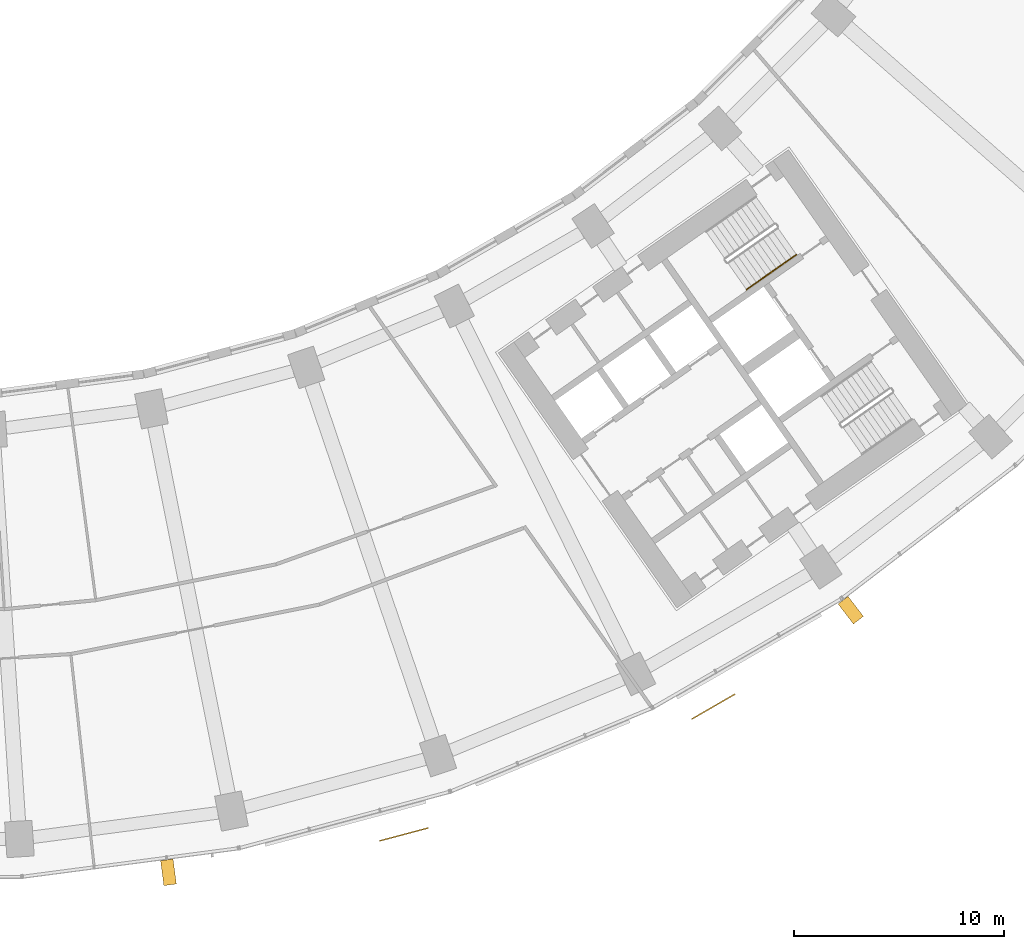
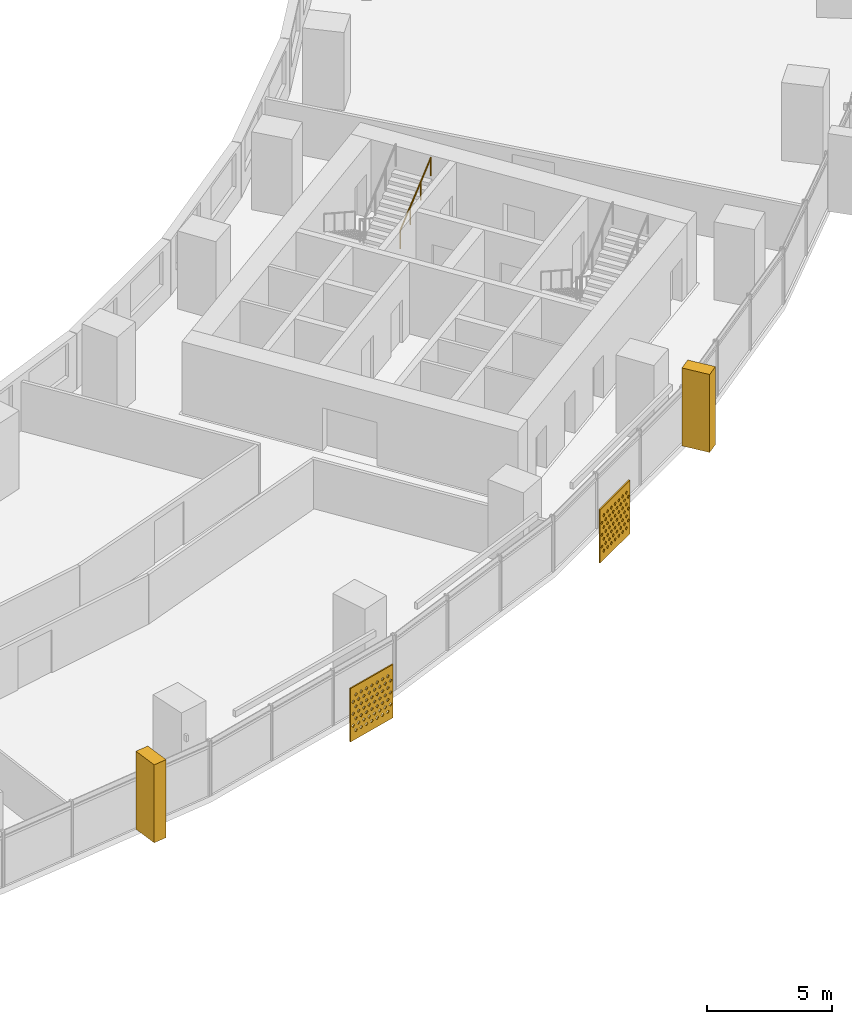
# One storey, part 29 of 30: 4 shading devices, 1 railing.
"""IFC4 building model written with IfcOpenShell, lengths in metres."""

from ifc_helpers import new_model, si_unit, direction, frame, origin, origin_2d, place, context, subcontext, project, spatial, polyline, circle, outline, extrude, material, material_profile, profile_set, type_object, element, save


model = new_model("IFC4")

# Units and contexts
model_context = context("Model", 3, precision=1e-05, world=origin(), true_north=direction((0.0, 1.0)))
body_context = subcontext(model_context, "Body", "Model", "MODEL_VIEW")
ifc_project = project(units=[si_unit("LENGTHUNIT", "METRE"), si_unit("AREAUNIT", "SQUARE_METRE"), si_unit("VOLUMEUNIT", "CUBIC_METRE"), si_unit("PLANEANGLEUNIT", "RADIAN"), si_unit("MASSUNIT", "GRAM", prefix="KILO")], contexts=[model_context])

# Site, building, storey
site_placement = place(None, origin())
site = spatial("IfcSite", under=ifc_project, at=site_placement, CompositionType="ELEMENT")
building_placement = place(site_placement, origin())
building = spatial("IfcBuilding", under=site, at=building_placement, Name="Qamariyya Broadcast Tower", CompositionType="ELEMENT")
storey_placement = place(building_placement, frame((0.0, 0.0, 67.10009765625)))
storey = spatial("IfcBuildingStorey", under=building, at=storey_placement, Name="L13", CompositionType="ELEMENT", Elevation=67.10009765625)

# Shading devices
ifc_material_1 = material(Name="Steel S355 powder coated deep red", Category="steel")
shading_device_type_1 = type_object("IfcShadingDeviceType", Name="Deep red frame, powder coated steel box section", PredefinedType="USERDEFINED", material=ifc_material_1)
shading_device_1_placement = place(storey_placement, origin())
element("IfcShadingDevice", 1, at=shading_device_1_placement, inside=storey, type_object=shading_device_type_1, Name="e-frm-B1-F5-posta-L13", ObjectType="FRAME", PredefinedType="USERDEFINED", context=body_context, shape_type="SweptSolid", body=[
    extrude(outline(polyline([(44.01318359375, -66.4091796875), (44.74365234375, -67.361328125), (45.2197265625, -66.995849609375), (44.4892578125, -66.0439453125), (44.01318359375, -66.4091796875)])), origin(), (0.0, 0.0, 1.0), 3.7998046875),
])
shading_device_2_placement = place(storey_placement, origin())
element("IfcShadingDevice", 2, at=shading_device_2_placement, inside=storey, type_object=shading_device_type_1, Name="e-frm-B1-F3-postb-L13", ObjectType="FRAME", PredefinedType="USERDEFINED", context=body_context, shape_type="SweptSolid", body=[
    extrude(outline(polyline([(11.79833984375, -78.612060546875), (11.954833984375, -79.8017578125), (12.5498046875, -79.723388671875), (12.39306640625, -78.53369140625), (11.79833984375, -78.612060546875)])), origin(), (0.0, 0.0, 1.0), 3.7998046875),
])
ifc_material_2 = material(Name="Perforated glazed terracotta", Category="masonry")
ifc_material_profile = material_profile(ifc_material_2, outline(polyline([(-1.199951171875, -1.300048828125), (1.199951171875, -1.300048828125), (1.199951171875, 1.300048828125), (-1.199951171875, 1.300048828125), (-1.199951171875, -1.300048828125)]), holes=[polyline([(-0.81494140625, -0.86669921875), (-0.89990234375, -0.78173828125), (-0.985107421875, -0.86669921875), (-0.89990234375, -0.95166015625), (-0.81494140625, -0.86669921875)]), polyline([(-0.514892578125, -0.86669921875), (-0.60009765625, -0.78173828125), (-0.68505859375, -0.86669921875), (-0.60009765625, -0.95166015625), (-0.514892578125, -0.86669921875)]), polyline([(-0.215087890625, -0.86669921875), (-0.300048828125, -0.78173828125), (-0.385009765625, -0.86669921875), (-0.300048828125, -0.95166015625), (-0.215087890625, -0.86669921875)]), polyline([(0.0849609375, -0.86669921875), (0.0, -0.78173828125), (-0.0849609375, -0.86669921875), (0.0, -0.95166015625), (0.0849609375, -0.86669921875)]), polyline([(0.385009765625, -0.86669921875), (0.300048828125, -0.78173828125), (0.215087890625, -0.86669921875), (0.300048828125, -0.95166015625), (0.385009765625, -0.86669921875)]), polyline([(0.68505859375, -0.86669921875), (0.60009765625, -0.78173828125), (0.514892578125, -0.86669921875), (0.60009765625, -0.95166015625), (0.68505859375, -0.86669921875)]), polyline([(0.985107421875, -0.86669921875), (0.89990234375, -0.78173828125), (0.81494140625, -0.86669921875), (0.89990234375, -0.95166015625), (0.985107421875, -0.86669921875)]), polyline([(-0.965087890625, -0.577880859375), (-1.050048828125, -0.49267578125), (-1.135009765625, -0.577880859375), (-1.050048828125, -0.662841796875), (-0.965087890625, -0.577880859375)]), polyline([(-0.6650390625, -0.577880859375), (-0.75, -0.49267578125), (-0.8349609375, -0.577880859375), (-0.75, -0.662841796875), (-0.6650390625, -0.577880859375)]), polyline([(-0.364990234375, -0.577880859375), (-0.449951171875, -0.49267578125), (-0.534912109375, -0.577880859375), (-0.449951171875, -0.662841796875), (-0.364990234375, -0.577880859375)]), polyline([(-0.06494140625, -0.577880859375), (-0.14990234375, -0.49267578125), (-0.235107421875, -0.577880859375), (-0.14990234375, -0.662841796875), (-0.06494140625, -0.577880859375)]), polyline([(0.235107421875, -0.577880859375), (0.14990234375, -0.49267578125), (0.06494140625, -0.577880859375), (0.14990234375, -0.662841796875), (0.235107421875, -0.577880859375)]), polyline([(0.534912109375, -0.577880859375), (0.449951171875, -0.49267578125), (0.364990234375, -0.577880859375), (0.449951171875, -0.662841796875), (0.534912109375, -0.577880859375)]), polyline([(0.8349609375, -0.577880859375), (0.75, -0.49267578125), (0.6650390625, -0.577880859375), (0.75, -0.662841796875), (0.8349609375, -0.577880859375)]), polyline([(1.135009765625, -0.577880859375), (1.050048828125, -0.49267578125), (0.965087890625, -0.577880859375), (1.050048828125, -0.662841796875), (1.135009765625, -0.577880859375)]), polyline([(-0.81494140625, -0.288818359375), (-0.89990234375, -0.203857421875), (-0.985107421875, -0.288818359375), (-0.89990234375, -0.373779296875), (-0.81494140625, -0.288818359375)]), polyline([(-0.514892578125, -0.288818359375), (-0.60009765625, -0.203857421875), (-0.68505859375, -0.288818359375), (-0.60009765625, -0.373779296875), (-0.514892578125, -0.288818359375)]), polyline([(-0.215087890625, -0.288818359375), (-0.300048828125, -0.203857421875), (-0.385009765625, -0.288818359375), (-0.300048828125, -0.373779296875), (-0.215087890625, -0.288818359375)]), polyline([(0.0849609375, -0.288818359375), (0.0, -0.203857421875), (-0.0849609375, -0.288818359375), (0.0, -0.373779296875), (0.0849609375, -0.288818359375)]), polyline([(0.385009765625, -0.288818359375), (0.300048828125, -0.203857421875), (0.215087890625, -0.288818359375), (0.300048828125, -0.373779296875), (0.385009765625, -0.288818359375)]), polyline([(0.68505859375, -0.288818359375), (0.60009765625, -0.203857421875), (0.514892578125, -0.288818359375), (0.60009765625, -0.373779296875), (0.68505859375, -0.288818359375)]), polyline([(0.985107421875, -0.288818359375), (0.89990234375, -0.203857421875), (0.81494140625, -0.288818359375), (0.89990234375, -0.373779296875), (0.985107421875, -0.288818359375)]), polyline([(-0.965087890625, 0.0), (-1.050048828125, 0.0849609375), (-1.135009765625, 0.0), (-1.050048828125, -0.0849609375), (-0.965087890625, 0.0)]), polyline([(-0.6650390625, 0.0), (-0.75, 0.0849609375), (-0.8349609375, 0.0), (-0.75, -0.0849609375), (-0.6650390625, 0.0)]), polyline([(-0.364990234375, 0.0), (-0.449951171875, 0.0849609375), (-0.534912109375, 0.0), (-0.449951171875, -0.0849609375), (-0.364990234375, 0.0)]), polyline([(-0.06494140625, 0.0), (-0.14990234375, 0.0849609375), (-0.235107421875, 0.0), (-0.14990234375, -0.0849609375), (-0.06494140625, 0.0)]), polyline([(0.235107421875, 0.0), (0.14990234375, 0.0849609375), (0.06494140625, 0.0), (0.14990234375, -0.0849609375), (0.235107421875, 0.0)]), polyline([(0.534912109375, 0.0), (0.449951171875, 0.0849609375), (0.364990234375, 0.0), (0.449951171875, -0.0849609375), (0.534912109375, 0.0)]), polyline([(0.8349609375, 0.0), (0.75, 0.0849609375), (0.6650390625, 0.0), (0.75, -0.0849609375), (0.8349609375, 0.0)]), polyline([(1.135009765625, 0.0), (1.050048828125, 0.0849609375), (0.965087890625, 0.0), (1.050048828125, -0.0849609375), (1.135009765625, 0.0)]), polyline([(-0.81494140625, 0.288818359375), (-0.89990234375, 0.373779296875), (-0.985107421875, 0.288818359375), (-0.89990234375, 0.203857421875), (-0.81494140625, 0.288818359375)]), polyline([(-0.514892578125, 0.288818359375), (-0.60009765625, 0.373779296875), (-0.68505859375, 0.288818359375), (-0.60009765625, 0.203857421875), (-0.514892578125, 0.288818359375)]), polyline([(-0.215087890625, 0.288818359375), (-0.300048828125, 0.373779296875), (-0.385009765625, 0.288818359375), (-0.300048828125, 0.203857421875), (-0.215087890625, 0.288818359375)]), polyline([(0.0849609375, 0.288818359375), (0.0, 0.373779296875), (-0.0849609375, 0.288818359375), (0.0, 0.203857421875), (0.0849609375, 0.288818359375)]), polyline([(0.385009765625, 0.288818359375), (0.300048828125, 0.373779296875), (0.215087890625, 0.288818359375), (0.300048828125, 0.203857421875), (0.385009765625, 0.288818359375)]), polyline([(0.68505859375, 0.288818359375), (0.60009765625, 0.373779296875), (0.514892578125, 0.288818359375), (0.60009765625, 0.203857421875), (0.68505859375, 0.288818359375)]), polyline([(0.985107421875, 0.288818359375), (0.89990234375, 0.373779296875), (0.81494140625, 0.288818359375), (0.89990234375, 0.203857421875), (0.985107421875, 0.288818359375)]), polyline([(-0.965087890625, 0.577880859375), (-1.050048828125, 0.662841796875), (-1.135009765625, 0.577880859375), (-1.050048828125, 0.49267578125), (-0.965087890625, 0.577880859375)]), polyline([(-0.6650390625, 0.577880859375), (-0.75, 0.662841796875), (-0.8349609375, 0.577880859375), (-0.75, 0.49267578125), (-0.6650390625, 0.577880859375)]), polyline([(-0.364990234375, 0.577880859375), (-0.449951171875, 0.662841796875), (-0.534912109375, 0.577880859375), (-0.449951171875, 0.49267578125), (-0.364990234375, 0.577880859375)]), polyline([(-0.06494140625, 0.577880859375), (-0.14990234375, 0.662841796875), (-0.235107421875, 0.577880859375), (-0.14990234375, 0.49267578125), (-0.06494140625, 0.577880859375)]), polyline([(0.235107421875, 0.577880859375), (0.14990234375, 0.662841796875), (0.06494140625, 0.577880859375), (0.14990234375, 0.49267578125), (0.235107421875, 0.577880859375)]), polyline([(0.534912109375, 0.577880859375), (0.449951171875, 0.662841796875), (0.364990234375, 0.577880859375), (0.449951171875, 0.49267578125), (0.534912109375, 0.577880859375)]), polyline([(0.8349609375, 0.577880859375), (0.75, 0.662841796875), (0.6650390625, 0.577880859375), (0.75, 0.49267578125), (0.8349609375, 0.577880859375)]), polyline([(1.135009765625, 0.577880859375), (1.050048828125, 0.662841796875), (0.965087890625, 0.577880859375), (1.050048828125, 0.49267578125), (1.135009765625, 0.577880859375)]), polyline([(-0.81494140625, 0.86669921875), (-0.89990234375, 0.95166015625), (-0.985107421875, 0.86669921875), (-0.89990234375, 0.78173828125), (-0.81494140625, 0.86669921875)]), polyline([(-0.514892578125, 0.86669921875), (-0.60009765625, 0.95166015625), (-0.68505859375, 0.86669921875), (-0.60009765625, 0.78173828125), (-0.514892578125, 0.86669921875)]), polyline([(-0.215087890625, 0.86669921875), (-0.300048828125, 0.95166015625), (-0.385009765625, 0.86669921875), (-0.300048828125, 0.78173828125), (-0.215087890625, 0.86669921875)]), polyline([(0.0849609375, 0.86669921875), (0.0, 0.95166015625), (-0.0849609375, 0.86669921875), (0.0, 0.78173828125), (0.0849609375, 0.86669921875)]), polyline([(0.385009765625, 0.86669921875), (0.300048828125, 0.95166015625), (0.215087890625, 0.86669921875), (0.300048828125, 0.78173828125), (0.385009765625, 0.86669921875)]), polyline([(0.68505859375, 0.86669921875), (0.60009765625, 0.95166015625), (0.514892578125, 0.86669921875), (0.60009765625, 0.78173828125), (0.68505859375, 0.86669921875)]), polyline([(0.985107421875, 0.86669921875), (0.89990234375, 0.95166015625), (0.81494140625, 0.86669921875), (0.89990234375, 0.78173828125), (0.985107421875, 0.86669921875)])]))
ifc_profile_set = profile_set([ifc_material_profile], Name="Perforated glazed terracotta")
shading_device_type_2 = type_object("IfcShadingDeviceType", Name="Perforated terracotta screen 2400 x 2600", PredefinedType="USERDEFINED", material=ifc_profile_set)
shading_device_3_placement = place(storey_placement, frame((23.364990234375, -77.33740234375, 1.349853515625), z_axis=(0.256901156343, -0.966437683387, 0.0), x_axis=(0.966437683387, 0.256901156343, 0.0)))
element("IfcShadingDevice", 3, at=shading_device_3_placement, inside=storey, type_object=shading_device_type_2, Name="e-scr-L13-10-2", ObjectType="SCREEN", PredefinedType="USERDEFINED", context=body_context, shape_type="SweptSolid", body=[
    extrude(outline(polyline([(-1.199951171875, -1.300048828125), (1.199951171875, -1.300048828125), (1.199951171875, 1.300048828125), (-1.199951171875, 1.300048828125), (-1.199951171875, -1.300048828125)]), holes=[polyline([(-0.81494140625, -0.86669921875), (-0.89990234375, -0.78173828125), (-0.985107421875, -0.86669921875), (-0.89990234375, -0.95166015625), (-0.81494140625, -0.86669921875)]), polyline([(-0.514892578125, -0.86669921875), (-0.60009765625, -0.78173828125), (-0.68505859375, -0.86669921875), (-0.60009765625, -0.95166015625), (-0.514892578125, -0.86669921875)]), polyline([(-0.215087890625, -0.86669921875), (-0.300048828125, -0.78173828125), (-0.385009765625, -0.86669921875), (-0.300048828125, -0.95166015625), (-0.215087890625, -0.86669921875)]), polyline([(0.0849609375, -0.86669921875), (0.0, -0.78173828125), (-0.0849609375, -0.86669921875), (0.0, -0.95166015625), (0.0849609375, -0.86669921875)]), polyline([(0.385009765625, -0.86669921875), (0.300048828125, -0.78173828125), (0.215087890625, -0.86669921875), (0.300048828125, -0.95166015625), (0.385009765625, -0.86669921875)]), polyline([(0.68505859375, -0.86669921875), (0.60009765625, -0.78173828125), (0.514892578125, -0.86669921875), (0.60009765625, -0.95166015625), (0.68505859375, -0.86669921875)]), polyline([(0.985107421875, -0.86669921875), (0.89990234375, -0.78173828125), (0.81494140625, -0.86669921875), (0.89990234375, -0.95166015625), (0.985107421875, -0.86669921875)]), polyline([(-0.965087890625, -0.577880859375), (-1.050048828125, -0.49267578125), (-1.135009765625, -0.577880859375), (-1.050048828125, -0.662841796875), (-0.965087890625, -0.577880859375)]), polyline([(-0.6650390625, -0.577880859375), (-0.75, -0.49267578125), (-0.8349609375, -0.577880859375), (-0.75, -0.662841796875), (-0.6650390625, -0.577880859375)]), polyline([(-0.364990234375, -0.577880859375), (-0.449951171875, -0.49267578125), (-0.534912109375, -0.577880859375), (-0.449951171875, -0.662841796875), (-0.364990234375, -0.577880859375)]), polyline([(-0.06494140625, -0.577880859375), (-0.14990234375, -0.49267578125), (-0.235107421875, -0.577880859375), (-0.14990234375, -0.662841796875), (-0.06494140625, -0.577880859375)]), polyline([(0.235107421875, -0.577880859375), (0.14990234375, -0.49267578125), (0.06494140625, -0.577880859375), (0.14990234375, -0.662841796875), (0.235107421875, -0.577880859375)]), polyline([(0.534912109375, -0.577880859375), (0.449951171875, -0.49267578125), (0.364990234375, -0.577880859375), (0.449951171875, -0.662841796875), (0.534912109375, -0.577880859375)]), polyline([(0.8349609375, -0.577880859375), (0.75, -0.49267578125), (0.6650390625, -0.577880859375), (0.75, -0.662841796875), (0.8349609375, -0.577880859375)]), polyline([(1.135009765625, -0.577880859375), (1.050048828125, -0.49267578125), (0.965087890625, -0.577880859375), (1.050048828125, -0.662841796875), (1.135009765625, -0.577880859375)]), polyline([(-0.81494140625, -0.288818359375), (-0.89990234375, -0.203857421875), (-0.985107421875, -0.288818359375), (-0.89990234375, -0.373779296875), (-0.81494140625, -0.288818359375)]), polyline([(-0.514892578125, -0.288818359375), (-0.60009765625, -0.203857421875), (-0.68505859375, -0.288818359375), (-0.60009765625, -0.373779296875), (-0.514892578125, -0.288818359375)]), polyline([(-0.215087890625, -0.288818359375), (-0.300048828125, -0.203857421875), (-0.385009765625, -0.288818359375), (-0.300048828125, -0.373779296875), (-0.215087890625, -0.288818359375)]), polyline([(0.0849609375, -0.288818359375), (0.0, -0.203857421875), (-0.0849609375, -0.288818359375), (0.0, -0.373779296875), (0.0849609375, -0.288818359375)]), polyline([(0.385009765625, -0.288818359375), (0.300048828125, -0.203857421875), (0.215087890625, -0.288818359375), (0.300048828125, -0.373779296875), (0.385009765625, -0.288818359375)]), polyline([(0.68505859375, -0.288818359375), (0.60009765625, -0.203857421875), (0.514892578125, -0.288818359375), (0.60009765625, -0.373779296875), (0.68505859375, -0.288818359375)]), polyline([(0.985107421875, -0.288818359375), (0.89990234375, -0.203857421875), (0.81494140625, -0.288818359375), (0.89990234375, -0.373779296875), (0.985107421875, -0.288818359375)]), polyline([(-0.965087890625, 0.0), (-1.050048828125, 0.0849609375), (-1.135009765625, 0.0), (-1.050048828125, -0.0849609375), (-0.965087890625, 0.0)]), polyline([(-0.6650390625, 0.0), (-0.75, 0.0849609375), (-0.8349609375, 0.0), (-0.75, -0.0849609375), (-0.6650390625, 0.0)]), polyline([(-0.364990234375, 0.0), (-0.449951171875, 0.0849609375), (-0.534912109375, 0.0), (-0.449951171875, -0.0849609375), (-0.364990234375, 0.0)]), polyline([(-0.06494140625, 0.0), (-0.14990234375, 0.0849609375), (-0.235107421875, 0.0), (-0.14990234375, -0.0849609375), (-0.06494140625, 0.0)]), polyline([(0.235107421875, 0.0), (0.14990234375, 0.0849609375), (0.06494140625, 0.0), (0.14990234375, -0.0849609375), (0.235107421875, 0.0)]), polyline([(0.534912109375, 0.0), (0.449951171875, 0.0849609375), (0.364990234375, 0.0), (0.449951171875, -0.0849609375), (0.534912109375, 0.0)]), polyline([(0.8349609375, 0.0), (0.75, 0.0849609375), (0.6650390625, 0.0), (0.75, -0.0849609375), (0.8349609375, 0.0)]), polyline([(1.135009765625, 0.0), (1.050048828125, 0.0849609375), (0.965087890625, 0.0), (1.050048828125, -0.0849609375), (1.135009765625, 0.0)]), polyline([(-0.81494140625, 0.288818359375), (-0.89990234375, 0.373779296875), (-0.985107421875, 0.288818359375), (-0.89990234375, 0.203857421875), (-0.81494140625, 0.288818359375)]), polyline([(-0.514892578125, 0.288818359375), (-0.60009765625, 0.373779296875), (-0.68505859375, 0.288818359375), (-0.60009765625, 0.203857421875), (-0.514892578125, 0.288818359375)]), polyline([(-0.215087890625, 0.288818359375), (-0.300048828125, 0.373779296875), (-0.385009765625, 0.288818359375), (-0.300048828125, 0.203857421875), (-0.215087890625, 0.288818359375)]), polyline([(0.0849609375, 0.288818359375), (0.0, 0.373779296875), (-0.0849609375, 0.288818359375), (0.0, 0.203857421875), (0.0849609375, 0.288818359375)]), polyline([(0.385009765625, 0.288818359375), (0.300048828125, 0.373779296875), (0.215087890625, 0.288818359375), (0.300048828125, 0.203857421875), (0.385009765625, 0.288818359375)]), polyline([(0.68505859375, 0.288818359375), (0.60009765625, 0.373779296875), (0.514892578125, 0.288818359375), (0.60009765625, 0.203857421875), (0.68505859375, 0.288818359375)]), polyline([(0.985107421875, 0.288818359375), (0.89990234375, 0.373779296875), (0.81494140625, 0.288818359375), (0.89990234375, 0.203857421875), (0.985107421875, 0.288818359375)]), polyline([(-0.965087890625, 0.577880859375), (-1.050048828125, 0.662841796875), (-1.135009765625, 0.577880859375), (-1.050048828125, 0.49267578125), (-0.965087890625, 0.577880859375)]), polyline([(-0.6650390625, 0.577880859375), (-0.75, 0.662841796875), (-0.8349609375, 0.577880859375), (-0.75, 0.49267578125), (-0.6650390625, 0.577880859375)]), polyline([(-0.364990234375, 0.577880859375), (-0.449951171875, 0.662841796875), (-0.534912109375, 0.577880859375), (-0.449951171875, 0.49267578125), (-0.364990234375, 0.577880859375)]), polyline([(-0.06494140625, 0.577880859375), (-0.14990234375, 0.662841796875), (-0.235107421875, 0.577880859375), (-0.14990234375, 0.49267578125), (-0.06494140625, 0.577880859375)]), polyline([(0.235107421875, 0.577880859375), (0.14990234375, 0.662841796875), (0.06494140625, 0.577880859375), (0.14990234375, 0.49267578125), (0.235107421875, 0.577880859375)]), polyline([(0.534912109375, 0.577880859375), (0.449951171875, 0.662841796875), (0.364990234375, 0.577880859375), (0.449951171875, 0.49267578125), (0.534912109375, 0.577880859375)]), polyline([(0.8349609375, 0.577880859375), (0.75, 0.662841796875), (0.6650390625, 0.577880859375), (0.75, 0.49267578125), (0.8349609375, 0.577880859375)]), polyline([(1.135009765625, 0.577880859375), (1.050048828125, 0.662841796875), (0.965087890625, 0.577880859375), (1.050048828125, 0.49267578125), (1.135009765625, 0.577880859375)]), polyline([(-0.81494140625, 0.86669921875), (-0.89990234375, 0.95166015625), (-0.985107421875, 0.86669921875), (-0.89990234375, 0.78173828125), (-0.81494140625, 0.86669921875)]), polyline([(-0.514892578125, 0.86669921875), (-0.60009765625, 0.95166015625), (-0.68505859375, 0.86669921875), (-0.60009765625, 0.78173828125), (-0.514892578125, 0.86669921875)]), polyline([(-0.215087890625, 0.86669921875), (-0.300048828125, 0.95166015625), (-0.385009765625, 0.86669921875), (-0.300048828125, 0.78173828125), (-0.215087890625, 0.86669921875)]), polyline([(0.0849609375, 0.86669921875), (0.0, 0.95166015625), (-0.0849609375, 0.86669921875), (0.0, 0.78173828125), (0.0849609375, 0.86669921875)]), polyline([(0.385009765625, 0.86669921875), (0.300048828125, 0.95166015625), (0.215087890625, 0.86669921875), (0.300048828125, 0.78173828125), (0.385009765625, 0.86669921875)]), polyline([(0.68505859375, 0.86669921875), (0.60009765625, 0.95166015625), (0.514892578125, 0.86669921875), (0.60009765625, 0.78173828125), (0.68505859375, 0.86669921875)]), polyline([(0.985107421875, 0.86669921875), (0.89990234375, 0.95166015625), (0.81494140625, 0.86669921875), (0.89990234375, 0.78173828125), (0.985107421875, 0.86669921875)])]), origin(), (0.0, 0.0, 1.0), 0.059814453125),
])
shading_device_4_placement = place(storey_placement, frame((38.07373046875, -71.259521484375, 1.349853515625), z_axis=(0.500074377092, -0.865982457891, 0.0), x_axis=(0.865982457891, 0.500074377092, 0.0)))
element("IfcShadingDevice", 4, at=shading_device_4_placement, inside=storey, type_object=shading_device_type_2, Name="e-scr-L13-12-0", ObjectType="SCREEN", PredefinedType="USERDEFINED", context=body_context, shape_type="SweptSolid", body=[
    extrude(outline(polyline([(-1.199951171875, -1.300048828125), (1.199951171875, -1.300048828125), (1.199951171875, 1.300048828125), (-1.199951171875, 1.300048828125), (-1.199951171875, -1.300048828125)]), holes=[polyline([(-0.81494140625, -0.86669921875), (-0.89990234375, -0.78173828125), (-0.985107421875, -0.86669921875), (-0.89990234375, -0.95166015625), (-0.81494140625, -0.86669921875)]), polyline([(-0.514892578125, -0.86669921875), (-0.60009765625, -0.78173828125), (-0.68505859375, -0.86669921875), (-0.60009765625, -0.95166015625), (-0.514892578125, -0.86669921875)]), polyline([(-0.215087890625, -0.86669921875), (-0.300048828125, -0.78173828125), (-0.385009765625, -0.86669921875), (-0.300048828125, -0.95166015625), (-0.215087890625, -0.86669921875)]), polyline([(0.0849609375, -0.86669921875), (0.0, -0.78173828125), (-0.0849609375, -0.86669921875), (0.0, -0.95166015625), (0.0849609375, -0.86669921875)]), polyline([(0.385009765625, -0.86669921875), (0.300048828125, -0.78173828125), (0.215087890625, -0.86669921875), (0.300048828125, -0.95166015625), (0.385009765625, -0.86669921875)]), polyline([(0.68505859375, -0.86669921875), (0.60009765625, -0.78173828125), (0.514892578125, -0.86669921875), (0.60009765625, -0.95166015625), (0.68505859375, -0.86669921875)]), polyline([(0.985107421875, -0.86669921875), (0.89990234375, -0.78173828125), (0.81494140625, -0.86669921875), (0.89990234375, -0.95166015625), (0.985107421875, -0.86669921875)]), polyline([(-0.965087890625, -0.577880859375), (-1.050048828125, -0.49267578125), (-1.135009765625, -0.577880859375), (-1.050048828125, -0.662841796875), (-0.965087890625, -0.577880859375)]), polyline([(-0.6650390625, -0.577880859375), (-0.75, -0.49267578125), (-0.8349609375, -0.577880859375), (-0.75, -0.662841796875), (-0.6650390625, -0.577880859375)]), polyline([(-0.364990234375, -0.577880859375), (-0.449951171875, -0.49267578125), (-0.534912109375, -0.577880859375), (-0.449951171875, -0.662841796875), (-0.364990234375, -0.577880859375)]), polyline([(-0.06494140625, -0.577880859375), (-0.14990234375, -0.49267578125), (-0.235107421875, -0.577880859375), (-0.14990234375, -0.662841796875), (-0.06494140625, -0.577880859375)]), polyline([(0.235107421875, -0.577880859375), (0.14990234375, -0.49267578125), (0.06494140625, -0.577880859375), (0.14990234375, -0.662841796875), (0.235107421875, -0.577880859375)]), polyline([(0.534912109375, -0.577880859375), (0.449951171875, -0.49267578125), (0.364990234375, -0.577880859375), (0.449951171875, -0.662841796875), (0.534912109375, -0.577880859375)]), polyline([(0.8349609375, -0.577880859375), (0.75, -0.49267578125), (0.6650390625, -0.577880859375), (0.75, -0.662841796875), (0.8349609375, -0.577880859375)]), polyline([(1.135009765625, -0.577880859375), (1.050048828125, -0.49267578125), (0.965087890625, -0.577880859375), (1.050048828125, -0.662841796875), (1.135009765625, -0.577880859375)]), polyline([(-0.81494140625, -0.288818359375), (-0.89990234375, -0.203857421875), (-0.985107421875, -0.288818359375), (-0.89990234375, -0.373779296875), (-0.81494140625, -0.288818359375)]), polyline([(-0.514892578125, -0.288818359375), (-0.60009765625, -0.203857421875), (-0.68505859375, -0.288818359375), (-0.60009765625, -0.373779296875), (-0.514892578125, -0.288818359375)]), polyline([(-0.215087890625, -0.288818359375), (-0.300048828125, -0.203857421875), (-0.385009765625, -0.288818359375), (-0.300048828125, -0.373779296875), (-0.215087890625, -0.288818359375)]), polyline([(0.0849609375, -0.288818359375), (0.0, -0.203857421875), (-0.0849609375, -0.288818359375), (0.0, -0.373779296875), (0.0849609375, -0.288818359375)]), polyline([(0.385009765625, -0.288818359375), (0.300048828125, -0.203857421875), (0.215087890625, -0.288818359375), (0.300048828125, -0.373779296875), (0.385009765625, -0.288818359375)]), polyline([(0.68505859375, -0.288818359375), (0.60009765625, -0.203857421875), (0.514892578125, -0.288818359375), (0.60009765625, -0.373779296875), (0.68505859375, -0.288818359375)]), polyline([(0.985107421875, -0.288818359375), (0.89990234375, -0.203857421875), (0.81494140625, -0.288818359375), (0.89990234375, -0.373779296875), (0.985107421875, -0.288818359375)]), polyline([(-0.965087890625, 0.0), (-1.050048828125, 0.0849609375), (-1.135009765625, 0.0), (-1.050048828125, -0.0849609375), (-0.965087890625, 0.0)]), polyline([(-0.6650390625, 0.0), (-0.75, 0.0849609375), (-0.8349609375, 0.0), (-0.75, -0.0849609375), (-0.6650390625, 0.0)]), polyline([(-0.364990234375, 0.0), (-0.449951171875, 0.0849609375), (-0.534912109375, 0.0), (-0.449951171875, -0.0849609375), (-0.364990234375, 0.0)]), polyline([(-0.06494140625, 0.0), (-0.14990234375, 0.0849609375), (-0.235107421875, 0.0), (-0.14990234375, -0.0849609375), (-0.06494140625, 0.0)]), polyline([(0.235107421875, 0.0), (0.14990234375, 0.0849609375), (0.06494140625, 0.0), (0.14990234375, -0.0849609375), (0.235107421875, 0.0)]), polyline([(0.534912109375, 0.0), (0.449951171875, 0.0849609375), (0.364990234375, 0.0), (0.449951171875, -0.0849609375), (0.534912109375, 0.0)]), polyline([(0.8349609375, 0.0), (0.75, 0.0849609375), (0.6650390625, 0.0), (0.75, -0.0849609375), (0.8349609375, 0.0)]), polyline([(1.135009765625, 0.0), (1.050048828125, 0.0849609375), (0.965087890625, 0.0), (1.050048828125, -0.0849609375), (1.135009765625, 0.0)]), polyline([(-0.81494140625, 0.288818359375), (-0.89990234375, 0.373779296875), (-0.985107421875, 0.288818359375), (-0.89990234375, 0.203857421875), (-0.81494140625, 0.288818359375)]), polyline([(-0.514892578125, 0.288818359375), (-0.60009765625, 0.373779296875), (-0.68505859375, 0.288818359375), (-0.60009765625, 0.203857421875), (-0.514892578125, 0.288818359375)]), polyline([(-0.215087890625, 0.288818359375), (-0.300048828125, 0.373779296875), (-0.385009765625, 0.288818359375), (-0.300048828125, 0.203857421875), (-0.215087890625, 0.288818359375)]), polyline([(0.0849609375, 0.288818359375), (0.0, 0.373779296875), (-0.0849609375, 0.288818359375), (0.0, 0.203857421875), (0.0849609375, 0.288818359375)]), polyline([(0.385009765625, 0.288818359375), (0.300048828125, 0.373779296875), (0.215087890625, 0.288818359375), (0.300048828125, 0.203857421875), (0.385009765625, 0.288818359375)]), polyline([(0.68505859375, 0.288818359375), (0.60009765625, 0.373779296875), (0.514892578125, 0.288818359375), (0.60009765625, 0.203857421875), (0.68505859375, 0.288818359375)]), polyline([(0.985107421875, 0.288818359375), (0.89990234375, 0.373779296875), (0.81494140625, 0.288818359375), (0.89990234375, 0.203857421875), (0.985107421875, 0.288818359375)]), polyline([(-0.965087890625, 0.577880859375), (-1.050048828125, 0.662841796875), (-1.135009765625, 0.577880859375), (-1.050048828125, 0.49267578125), (-0.965087890625, 0.577880859375)]), polyline([(-0.6650390625, 0.577880859375), (-0.75, 0.662841796875), (-0.8349609375, 0.577880859375), (-0.75, 0.49267578125), (-0.6650390625, 0.577880859375)]), polyline([(-0.364990234375, 0.577880859375), (-0.449951171875, 0.662841796875), (-0.534912109375, 0.577880859375), (-0.449951171875, 0.49267578125), (-0.364990234375, 0.577880859375)]), polyline([(-0.06494140625, 0.577880859375), (-0.14990234375, 0.662841796875), (-0.235107421875, 0.577880859375), (-0.14990234375, 0.49267578125), (-0.06494140625, 0.577880859375)]), polyline([(0.235107421875, 0.577880859375), (0.14990234375, 0.662841796875), (0.06494140625, 0.577880859375), (0.14990234375, 0.49267578125), (0.235107421875, 0.577880859375)]), polyline([(0.534912109375, 0.577880859375), (0.449951171875, 0.662841796875), (0.364990234375, 0.577880859375), (0.449951171875, 0.49267578125), (0.534912109375, 0.577880859375)]), polyline([(0.8349609375, 0.577880859375), (0.75, 0.662841796875), (0.6650390625, 0.577880859375), (0.75, 0.49267578125), (0.8349609375, 0.577880859375)]), polyline([(1.135009765625, 0.577880859375), (1.050048828125, 0.662841796875), (0.965087890625, 0.577880859375), (1.050048828125, 0.49267578125), (1.135009765625, 0.577880859375)]), polyline([(-0.81494140625, 0.86669921875), (-0.89990234375, 0.95166015625), (-0.985107421875, 0.86669921875), (-0.89990234375, 0.78173828125), (-0.81494140625, 0.86669921875)]), polyline([(-0.514892578125, 0.86669921875), (-0.60009765625, 0.95166015625), (-0.68505859375, 0.86669921875), (-0.60009765625, 0.78173828125), (-0.514892578125, 0.86669921875)]), polyline([(-0.215087890625, 0.86669921875), (-0.300048828125, 0.95166015625), (-0.385009765625, 0.86669921875), (-0.300048828125, 0.78173828125), (-0.215087890625, 0.86669921875)]), polyline([(0.0849609375, 0.86669921875), (0.0, 0.95166015625), (-0.0849609375, 0.86669921875), (0.0, 0.78173828125), (0.0849609375, 0.86669921875)]), polyline([(0.385009765625, 0.86669921875), (0.300048828125, 0.95166015625), (0.215087890625, 0.86669921875), (0.300048828125, 0.78173828125), (0.385009765625, 0.86669921875)]), polyline([(0.68505859375, 0.86669921875), (0.60009765625, 0.95166015625), (0.514892578125, 0.86669921875), (0.60009765625, 0.78173828125), (0.68505859375, 0.86669921875)]), polyline([(0.985107421875, 0.86669921875), (0.89990234375, 0.95166015625), (0.81494140625, 0.86669921875), (0.89990234375, 0.78173828125), (0.985107421875, 0.86669921875)])]), origin(), (0.0, 0.0, 1.0), 0.06005859375),
])

# Railing
ifc_material_3 = material(Name="Stainless steel", Category="steel")
railing_type = type_object("IfcRailingType", Name="Stair handrail", PredefinedType="HANDRAIL", material=ifc_material_3)
railing_placement = place(storey_placement, frame((39.66015625, -51.4580078125, 2.072509765625)))
element("IfcRailing", 5, at=railing_placement, inside=storey, type_object=railing_type, Name="L13 ST-E2 stair handrail 2", PredefinedType="HANDRAIL", context=body_context, shape_type="SweptSolid", body=[
    extrude(circle(Radius=0.02392578125, at=origin_2d()), frame((0.0, 0.0, 0.8759765625), z_axis=(0.703745009021, 0.492838488332, 0.511715923826), x_axis=(-0.573631830683, 0.819113253969, 0.0)), (0.0, 0.0, 1.0), 3.37548828125),
    extrude(circle(Radius=0.02099609375, at=origin_2d()), origin(), (0.0, 0.0, 1.0), 0.851806640625),
    extrude(circle(Radius=0.02099609375, at=origin_2d()), frame((0.791748046875, 0.554443359375, 0.57568359375)), (0.0, 0.0, 1.0), 0.851806640625),
    extrude(circle(Radius=0.02099609375, at=origin_2d()), frame((1.583740234375, 1.109130859375, 1.151611328125)), (0.0, 0.0, 1.0), 0.851806640625),
    extrude(circle(Radius=0.02099609375, at=origin_2d()), frame((2.37548828125, 1.66357421875, 1.727294921875)), (0.0, 0.0, 1.0), 0.851806640625),
])

save(model, "model.ifc")
